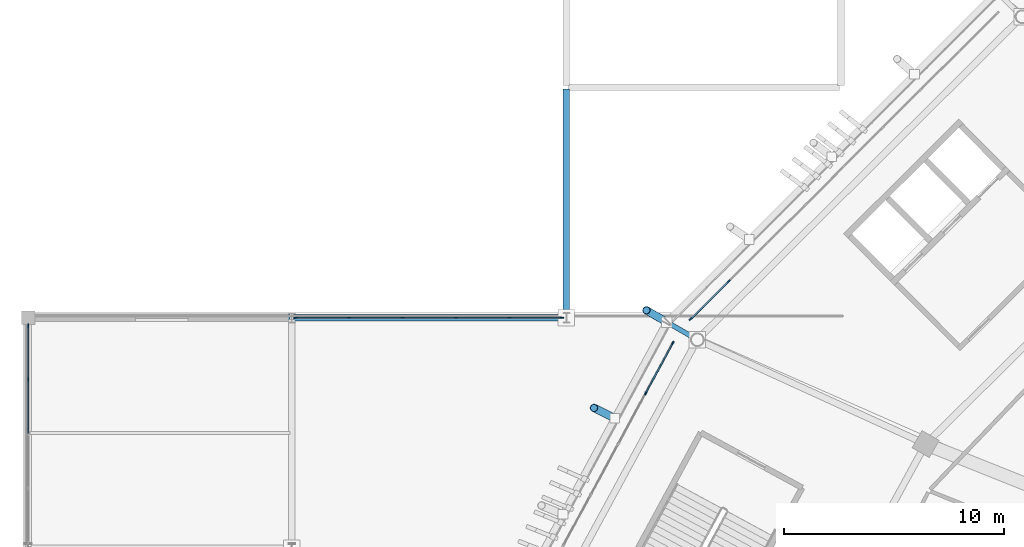
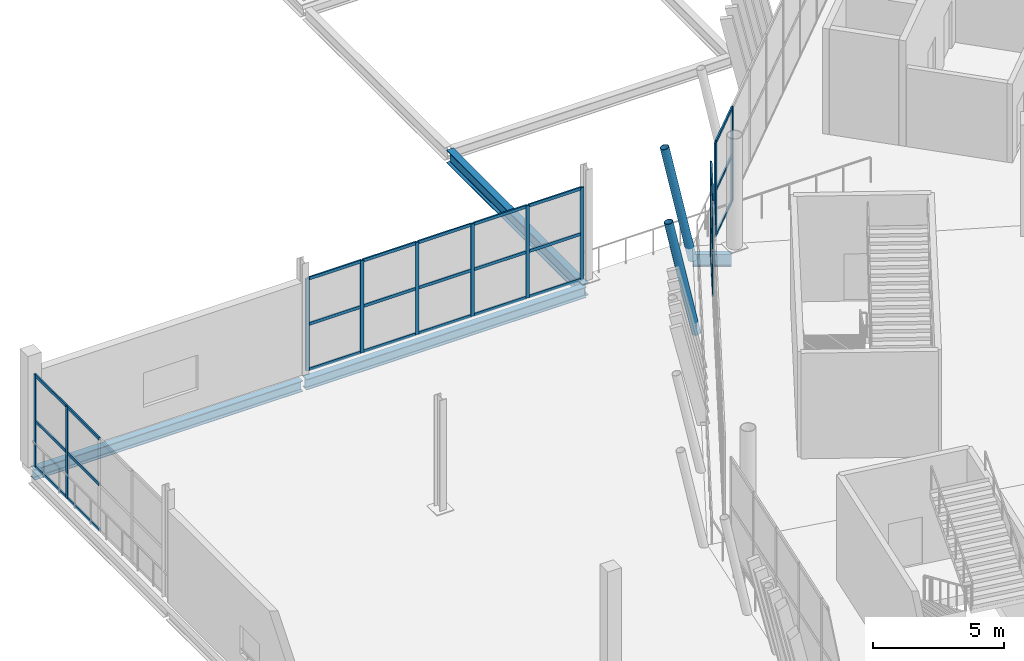
# One storey, part 45 of 178: 41 members, 4 beams, 4 elements without a shape of their own.
"""IFC4 building model written with IfcOpenShell, lengths in metres."""

from ifc_helpers import new_model, si_unit, direction, frame, origin, origin_2d, place, context, subcontext, project, spatial, rectangle, hollow_circle, i_section, extrude, material, material_profile, profile_set, type_object, element, aggregate, save


model = new_model("IFC4")

# Units and contexts
model_context = context("Model", 3, precision=1e-05, world=origin(), true_north=direction((0.0, 1.0)))
body_context = subcontext(model_context, "Body", "Model", "MODEL_VIEW")
ifc_project = project(units=[si_unit("LENGTHUNIT", "METRE"), si_unit("AREAUNIT", "SQUARE_METRE"), si_unit("VOLUMEUNIT", "CUBIC_METRE"), si_unit("PLANEANGLEUNIT", "RADIAN"), si_unit("MASSUNIT", "GRAM", prefix="KILO")], contexts=[model_context])

# Site, building, storey
site_placement = place(None, origin())
site = spatial("IfcSite", under=ifc_project, at=site_placement, CompositionType="ELEMENT")
building_placement = place(site_placement, origin())
building = spatial("IfcBuilding", under=site, at=building_placement, Name="Zlatoyarsky Gate Stadium", CompositionType="ELEMENT")
storey_placement = place(building_placement, frame((0.0, 0.0, 5.39990234375)))
storey = spatial("IfcBuildingStorey", under=building, at=storey_placement, Name="L01", CompositionType="ELEMENT", Elevation=5.39990234375)

# Curtain wall, members
ifc_material_1 = material(Name="Thermally broken anodised aluminium curtain wall", Category="aluminium")
curtain_wall_type_1 = type_object("IfcCurtainWallType", Name="UNITISED HOSPITALITY GLAZING L01", PredefinedType="USERDEFINED", material=ifc_material_1)
curtain_wall_1_placement = place(storey_placement, origin())
curtain_wall_1 = element("IfcCurtainWall", 1, at=curtain_wall_1_placement, inside=storey, type_object=curtain_wall_type_1, Name="Curtain wall CW-L01-09", ObjectType="UNITISED GLAZING", PredefinedType="USERDEFINED")
ifc_material_2 = material(Name="Anodised aluminium 6063-T6", Category="aluminium")
ifc_material_profile_1 = material_profile(ifc_material_2, rectangle(XDim=0.06494140625, YDim=0.159912109375, at=origin_2d()), Name="ALU 65X160")
ifc_profile_set_1 = profile_set([ifc_material_profile_1], Name="Anodised aluminium 6063-T6")
member_type_1 = type_object("IfcMemberType", Name="ALUMINIUM MULLION 65X160", PredefinedType="MULLION", material=ifc_profile_set_1)
member_1_placement = place(storey_placement, frame((31.883544921875, 118.16015625, 0.0), z_axis=(0.0, 0.0, 1.0), x_axis=(0.706370937898, -0.707841859523, 0.0)))
member_1 = element("IfcMember", 2, at=member_1_placement, type_object=member_type_1, Name="CW-UG1 mullion 8", PredefinedType="MULLION", context=body_context, shape_type="SweptSolid", body=[
    extrude(rectangle(XDim=0.06494140625, YDim=0.159912109375, at=origin_2d()), origin(), (0.0, 0.0, 1.0), 4.400146484375),
])
member_2_placement = place(storey_placement, frame((30.156005859375, 116.436279296875, 0.0), z_axis=(0.0, 0.0, 1.0), x_axis=(0.706370937898, -0.707841859523, 0.0)))
member_2 = element("IfcMember", 3, at=member_2_placement, type_object=member_type_1, Name="CW-UG1 mullion 9", PredefinedType="MULLION", context=body_context, shape_type="SweptSolid", body=[
    extrude(rectangle(XDim=0.06494140625, YDim=0.159912109375, at=origin_2d()), origin(), (0.0, 0.0, 1.0), 4.400146484375),
])

curtain_wall_2_placement = place(storey_placement, origin())
curtain_wall_2 = element("IfcCurtainWall", 4, at=curtain_wall_2_placement, inside=storey, type_object=curtain_wall_type_1, Name="Curtain wall CW-L01-10", ObjectType="UNITISED GLAZING", PredefinedType="USERDEFINED")
member_3_placement = place(storey_placement, frame((29.34814453125, 115.35400390625, 0.0), z_axis=(0.0, 0.0, 1.0), x_axis=(0.879562033396, -0.475784225682, 0.0)))
member_3 = element("IfcMember", 5, at=member_3_placement, type_object=member_type_1, Name="CW-UG1 mullion 1", PredefinedType="MULLION", context=body_context, shape_type="SweptSolid", body=[
    extrude(rectangle(XDim=0.06494140625, YDim=0.159912109375, at=origin_2d()), origin(), (0.0, 0.0, 1.0), 4.400146484375),
])
member_4_placement = place(storey_placement, frame((28.11181640625, 113.068359375, 0.0), z_axis=(0.0, 0.0, 1.0), x_axis=(0.879562033396, -0.475784225682, 0.0)))
member_4 = element("IfcMember", 6, at=member_4_placement, type_object=member_type_1, Name="CW-UG1 mullion 2", PredefinedType="MULLION", context=body_context, shape_type="SweptSolid", body=[
    extrude(rectangle(XDim=0.06494140625, YDim=0.159912109375, at=origin_2d()), origin(), (0.0, 0.0, 1.0), 4.400146484375),
])

curtain_wall_type_2 = type_object("IfcCurtainWallType", Name="WINTER GARDEN CONSERVATORY GLAZING", PredefinedType="USERDEFINED", material=ifc_material_1)
curtain_wall_3_placement = place(storey_placement, origin())
curtain_wall_3 = element("IfcCurtainWall", 7, at=curtain_wall_3_placement, inside=storey, type_object=curtain_wall_type_2, Name="Curtain wall CW-V4_WEST-L01-167", ObjectType="UNITISED GLAZING", PredefinedType="USERDEFINED")
member_5_placement = place(storey_placement, frame((0.0, 113.7001953125, 0.0), z_axis=(0.0, 0.0, 1.0), x_axis=(-1.0, 0.0, 0.0)))
member_5 = element("IfcMember", 8, at=member_5_placement, type_object=member_type_1, Name="CW-WG1 mullion 4", PredefinedType="MULLION", context=body_context, shape_type="SweptSolid", body=[
    extrude(rectangle(XDim=0.06494140625, YDim=0.159912109375, at=origin_2d()), origin(), (0.0, 0.0, 1.0), 4.300048828125),
])
member_6_placement = place(storey_placement, frame((0.0, 116.155517578125, 0.0), z_axis=(0.0, 0.0, 1.0), x_axis=(-1.0, 0.0, 0.0)))
member_6 = element("IfcMember", 9, at=member_6_placement, type_object=member_type_1, Name="CW-WG1 mullion 5", PredefinedType="MULLION", context=body_context, shape_type="SweptSolid", body=[
    extrude(rectangle(XDim=0.06494140625, YDim=0.159912109375, at=origin_2d()), origin(), (0.0, 0.0, 1.0), 4.300048828125),
])

curtain_wall_4_placement = place(storey_placement, origin())
curtain_wall_4 = element("IfcCurtainWall", 10, at=curtain_wall_4_placement, inside=storey, type_object=curtain_wall_type_2, Name="Curtain wall CW-V4_WEST-L01-177", ObjectType="UNITISED GLAZING", PredefinedType="USERDEFINED")
member_7_placement = place(storey_placement, frame((12.194580078125, 116.5, 0.0), z_axis=(0.0, 0.0, 1.0), x_axis=(0.0, 1.0, 0.0)))
member_7 = element("IfcMember", 11, at=member_7_placement, type_object=member_type_1, Name="CW-WG1 mullion 1", PredefinedType="MULLION", context=body_context, shape_type="SweptSolid", body=[
    extrude(rectangle(XDim=0.06494140625, YDim=0.159912109375, at=origin_2d()), origin(), (0.0, 0.0, 1.0), 4.300048828125),
])
member_8_placement = place(storey_placement, frame((14.59716796875, 116.5, 0.0), z_axis=(0.0, 0.0, 1.0), x_axis=(0.0, 1.0, 0.0)))
member_8 = element("IfcMember", 12, at=member_8_placement, type_object=member_type_1, Name="CW-WG1 mullion 2", PredefinedType="MULLION", context=body_context, shape_type="SweptSolid", body=[
    extrude(rectangle(XDim=0.06494140625, YDim=0.159912109375, at=origin_2d()), origin(), (0.0, 0.0, 1.0), 4.300048828125),
])
member_9_placement = place(storey_placement, frame((17.032470703125, 116.5, 0.0), z_axis=(0.0, 0.0, 1.0), x_axis=(0.0, 1.0, 0.0)))
member_9 = element("IfcMember", 13, at=member_9_placement, type_object=member_type_1, Name="CW-WG1 mullion 3", PredefinedType="MULLION", context=body_context, shape_type="SweptSolid", body=[
    extrude(rectangle(XDim=0.06494140625, YDim=0.159912109375, at=origin_2d()), origin(), (0.0, 0.0, 1.0), 4.300048828125),
])
member_10_placement = place(storey_placement, frame((19.467529296875, 116.5, 0.0), z_axis=(0.0, 0.0, 1.0), x_axis=(0.0, 1.0, 0.0)))
member_10 = element("IfcMember", 14, at=member_10_placement, type_object=member_type_1, Name="CW-WG1 mullion 4", PredefinedType="MULLION", context=body_context, shape_type="SweptSolid", body=[
    extrude(rectangle(XDim=0.06494140625, YDim=0.159912109375, at=origin_2d()), origin(), (0.0, 0.0, 1.0), 4.300048828125),
])
member_11_placement = place(storey_placement, frame((21.90283203125, 116.5, 0.0), z_axis=(0.0, 0.0, 1.0), x_axis=(0.0, 1.0, 0.0)))
member_11 = element("IfcMember", 15, at=member_11_placement, type_object=member_type_1, Name="CW-WG1 mullion 5", PredefinedType="MULLION", context=body_context, shape_type="SweptSolid", body=[
    extrude(rectangle(XDim=0.06494140625, YDim=0.159912109375, at=origin_2d()), origin(), (0.0, 0.0, 1.0), 4.300048828125),
])
member_12_placement = place(storey_placement, frame((24.305419921875, 116.5, 0.0), z_axis=(0.0, 0.0, 1.0), x_axis=(0.0, 1.0, 0.0)))
member_12 = element("IfcMember", 16, at=member_12_placement, type_object=member_type_1, Name="CW-WG1 mullion 6", PredefinedType="MULLION", context=body_context, shape_type="SweptSolid", body=[
    extrude(rectangle(XDim=0.06494140625, YDim=0.159912109375, at=origin_2d()), origin(), (0.0, 0.0, 1.0), 4.300048828125),
])

# Member
ifc_material_profile_2 = material_profile(ifc_material_2, rectangle(XDim=0.06494140625, YDim=0.139892578125, at=origin_2d()), Name="ALU 65X140")
ifc_profile_set_2 = profile_set([ifc_material_profile_2], Name="Anodised aluminium 6063-T6")
member_type_2 = type_object("IfcMemberType", Name="ALUMINIUM TRANSOM 65X140", PredefinedType="USERDEFINED", material=ifc_profile_set_2)
member_13_placement = place(storey_placement, frame((31.8603515625, 118.13720703125, 0.03271484375), z_axis=(-0.707825854859, -0.706386975526, 0.0), x_axis=(0.706386975526, -0.707825854859, 0.0)))
member_13 = element("IfcMember", 17, at=member_13_placement, type_object=member_type_2, Name="CW-UG1 transom 8.1", ObjectType="TRANSOM", PredefinedType="USERDEFINED", context=body_context, shape_type="SweptSolid", body=[
    extrude(rectangle(XDim=0.06494140625, YDim=0.139892578125, at=origin_2d()), origin(), (0.0, 0.0, 1.0), 2.37548828125),
])

member_14_placement = place(storey_placement, frame((31.8603515625, 118.13720703125, 2.150146484375), z_axis=(-0.707825854859, -0.706386975526, 0.0), x_axis=(0.706386975526, -0.707825854859, 0.0)))
member_14 = element("IfcMember", 18, at=member_14_placement, type_object=member_type_2, Name="CW-UG1 transom 8.2", ObjectType="TRANSOM", PredefinedType="USERDEFINED", context=body_context, shape_type="SweptSolid", body=[
    extrude(rectangle(XDim=0.06494140625, YDim=0.139892578125, at=origin_2d()), origin(), (0.0, 0.0, 1.0), 2.37548828125),
])

member_15_placement = place(storey_placement, frame((31.8603515625, 118.13720703125, 4.36767578125), z_axis=(-0.707825854859, -0.706386975526, 0.0), x_axis=(0.706386975526, -0.707825854859, 0.0)))
member_15 = element("IfcMember", 19, at=member_15_placement, type_object=member_type_2, Name="CW-UG1 transom 8.3", ObjectType="TRANSOM", PredefinedType="USERDEFINED", context=body_context, shape_type="SweptSolid", body=[
    extrude(rectangle(XDim=0.06494140625, YDim=0.139892578125, at=origin_2d()), origin(), (0.0, 0.0, 1.0), 2.37548828125),
])

aggregate(curtain_wall_1, [member_1, member_2, member_13, member_14, member_15])

member_16_placement = place(storey_placement, frame((29.332763671875, 115.325439453125, 0.03271484375), z_axis=(-0.475811253632, -0.879547412546, 0.0), x_axis=(0.879547412546, -0.475811253632, 0.0)))
member_16 = element("IfcMember", 20, at=member_16_placement, type_object=member_type_2, Name="CW-UG1 transom 1.1", ObjectType="TRANSOM", PredefinedType="USERDEFINED", context=body_context, shape_type="SweptSolid", body=[
    extrude(rectangle(XDim=0.06494140625, YDim=0.139892578125, at=origin_2d()), origin(), (0.0, 0.0, 1.0), 2.53369140625),
])

member_17_placement = place(storey_placement, frame((29.332763671875, 115.325439453125, 2.150146484375), z_axis=(-0.475811253632, -0.879547412546, 0.0), x_axis=(0.879547412546, -0.475811253632, 0.0)))
member_17 = element("IfcMember", 21, at=member_17_placement, type_object=member_type_2, Name="CW-UG1 transom 1.2", ObjectType="TRANSOM", PredefinedType="USERDEFINED", context=body_context, shape_type="SweptSolid", body=[
    extrude(rectangle(XDim=0.06494140625, YDim=0.139892578125, at=origin_2d()), origin(), (0.0, 0.0, 1.0), 2.53369140625),
])

member_18_placement = place(storey_placement, frame((29.332763671875, 115.325439453125, 4.36767578125), z_axis=(-0.475811253632, -0.879547412546, 0.0), x_axis=(0.879547412546, -0.475811253632, 0.0)))
member_18 = element("IfcMember", 22, at=member_18_placement, type_object=member_type_2, Name="CW-UG1 transom 1.3", ObjectType="TRANSOM", PredefinedType="USERDEFINED", context=body_context, shape_type="SweptSolid", body=[
    extrude(rectangle(XDim=0.06494140625, YDim=0.139892578125, at=origin_2d()), origin(), (0.0, 0.0, 1.0), 2.53369140625),
])

aggregate(curtain_wall_2, [member_3, member_4, member_16, member_17, member_18])

member_19_placement = place(storey_placement, frame((0.0, 111.2451171875, 0.03271484375), z_axis=(0.0, 1.0, 0.0), x_axis=(-1.0, 0.0, 0.0)))
member_19 = element("IfcMember", 23, at=member_19_placement, type_object=member_type_2, Name="CW-WG1 transom 3.1", ObjectType="TRANSOM", PredefinedType="USERDEFINED", context=body_context, shape_type="SweptSolid", body=[
    extrude(rectangle(XDim=0.06494140625, YDim=0.139892578125, at=origin_2d()), origin(), (0.0, 0.0, 1.0), 2.422607421875),
])

member_20_placement = place(storey_placement, frame((0.0, 111.2451171875, 2.150146484375), z_axis=(0.0, 1.0, 0.0), x_axis=(-1.0, 0.0, 0.0)))
member_20 = element("IfcMember", 24, at=member_20_placement, type_object=member_type_2, Name="CW-WG1 transom 3.2", ObjectType="TRANSOM", PredefinedType="USERDEFINED", context=body_context, shape_type="SweptSolid", body=[
    extrude(rectangle(XDim=0.06494140625, YDim=0.139892578125, at=origin_2d()), origin(), (0.0, 0.0, 1.0), 2.422607421875),
])

member_21_placement = place(storey_placement, frame((0.0, 111.2451171875, 4.267578125), z_axis=(0.0, 1.0, 0.0), x_axis=(-1.0, 0.0, 0.0)))
member_21 = element("IfcMember", 25, at=member_21_placement, type_object=member_type_2, Name="CW-WG1 transom 3.3", ObjectType="TRANSOM", PredefinedType="USERDEFINED", context=body_context, shape_type="SweptSolid", body=[
    extrude(rectangle(XDim=0.06494140625, YDim=0.139892578125, at=origin_2d()), origin(), (0.0, 0.0, 1.0), 2.422607421875),
])

member_22_placement = place(storey_placement, frame((0.0, 113.732666015625, 0.03271484375), z_axis=(0.0, 1.0, 0.0), x_axis=(-1.0, 0.0, 0.0)))
member_22 = element("IfcMember", 26, at=member_22_placement, type_object=member_type_2, Name="CW-WG1 transom 4.1", ObjectType="TRANSOM", PredefinedType="USERDEFINED", context=body_context, shape_type="SweptSolid", body=[
    extrude(rectangle(XDim=0.06494140625, YDim=0.139892578125, at=origin_2d()), origin(), (0.0, 0.0, 1.0), 2.390380859375),
])

member_23_placement = place(storey_placement, frame((0.0, 113.732666015625, 2.150146484375), z_axis=(0.0, 1.0, 0.0), x_axis=(-1.0, 0.0, 0.0)))
member_23 = element("IfcMember", 27, at=member_23_placement, type_object=member_type_2, Name="CW-WG1 transom 4.2", ObjectType="TRANSOM", PredefinedType="USERDEFINED", context=body_context, shape_type="SweptSolid", body=[
    extrude(rectangle(XDim=0.06494140625, YDim=0.139892578125, at=origin_2d()), origin(), (0.0, 0.0, 1.0), 2.390380859375),
])

member_24_placement = place(storey_placement, frame((0.0, 113.732666015625, 4.267578125), z_axis=(0.0, 1.0, 0.0), x_axis=(-1.0, 0.0, 0.0)))
member_24 = element("IfcMember", 28, at=member_24_placement, type_object=member_type_2, Name="CW-WG1 transom 4.3", ObjectType="TRANSOM", PredefinedType="USERDEFINED", context=body_context, shape_type="SweptSolid", body=[
    extrude(rectangle(XDim=0.06494140625, YDim=0.139892578125, at=origin_2d()), origin(), (0.0, 0.0, 1.0), 2.390380859375),
])

aggregate(curtain_wall_3, [member_5, member_6, member_19, member_20, member_21, member_22, member_23, member_24])

member_25_placement = place(storey_placement, frame((12.22705078125, 116.5, 0.03271484375), z_axis=(1.0, 0.0, 0.0), x_axis=(0.0, 1.0, 0.0)))
member_25 = element("IfcMember", 29, at=member_25_placement, type_object=member_type_2, Name="CW-WG1 transom 1.1", ObjectType="TRANSOM", PredefinedType="USERDEFINED", context=body_context, shape_type="SweptSolid", body=[
    extrude(rectangle(XDim=0.06494140625, YDim=0.139892578125, at=origin_2d()), origin(), (0.0, 0.0, 1.0), 2.337646484375),
])

member_26_placement = place(storey_placement, frame((12.22705078125, 116.5, 2.150146484375), z_axis=(1.0, 0.0, 0.0), x_axis=(0.0, 1.0, 0.0)))
member_26 = element("IfcMember", 30, at=member_26_placement, type_object=member_type_2, Name="CW-WG1 transom 1.2", ObjectType="TRANSOM", PredefinedType="USERDEFINED", context=body_context, shape_type="SweptSolid", body=[
    extrude(rectangle(XDim=0.06494140625, YDim=0.139892578125, at=origin_2d()), origin(), (0.0, 0.0, 1.0), 2.337646484375),
])

member_27_placement = place(storey_placement, frame((12.22705078125, 116.5, 4.267578125), z_axis=(1.0, 0.0, 0.0), x_axis=(0.0, 1.0, 0.0)))
member_27 = element("IfcMember", 31, at=member_27_placement, type_object=member_type_2, Name="CW-WG1 transom 1.3", ObjectType="TRANSOM", PredefinedType="USERDEFINED", context=body_context, shape_type="SweptSolid", body=[
    extrude(rectangle(XDim=0.06494140625, YDim=0.139892578125, at=origin_2d()), origin(), (0.0, 0.0, 1.0), 2.337646484375),
])

member_28_placement = place(storey_placement, frame((14.629638671875, 116.5, 0.03271484375), z_axis=(1.0, 0.0, 0.0), x_axis=(0.0, 1.0, 0.0)))
member_28 = element("IfcMember", 32, at=member_28_placement, type_object=member_type_2, Name="CW-WG1 transom 2.1", ObjectType="TRANSOM", PredefinedType="USERDEFINED", context=body_context, shape_type="SweptSolid", body=[
    extrude(rectangle(XDim=0.06494140625, YDim=0.139892578125, at=origin_2d()), origin(), (0.0, 0.0, 1.0), 2.370361328125),
])

member_29_placement = place(storey_placement, frame((14.629638671875, 116.5, 2.150146484375), z_axis=(1.0, 0.0, 0.0), x_axis=(0.0, 1.0, 0.0)))
member_29 = element("IfcMember", 33, at=member_29_placement, type_object=member_type_2, Name="CW-WG1 transom 2.2", ObjectType="TRANSOM", PredefinedType="USERDEFINED", context=body_context, shape_type="SweptSolid", body=[
    extrude(rectangle(XDim=0.06494140625, YDim=0.139892578125, at=origin_2d()), origin(), (0.0, 0.0, 1.0), 2.370361328125),
])

member_30_placement = place(storey_placement, frame((14.629638671875, 116.5, 4.267578125), z_axis=(1.0, 0.0, 0.0), x_axis=(0.0, 1.0, 0.0)))
member_30 = element("IfcMember", 34, at=member_30_placement, type_object=member_type_2, Name="CW-WG1 transom 2.3", ObjectType="TRANSOM", PredefinedType="USERDEFINED", context=body_context, shape_type="SweptSolid", body=[
    extrude(rectangle(XDim=0.06494140625, YDim=0.139892578125, at=origin_2d()), origin(), (0.0, 0.0, 1.0), 2.370361328125),
])

member_31_placement = place(storey_placement, frame((17.06494140625, 116.5, 0.03271484375), z_axis=(1.0, 0.0, 0.0), x_axis=(0.0, 1.0, 0.0)))
member_31 = element("IfcMember", 35, at=member_31_placement, type_object=member_type_2, Name="CW-WG1 transom 3.1", ObjectType="TRANSOM", PredefinedType="USERDEFINED", context=body_context, shape_type="SweptSolid", body=[
    extrude(rectangle(XDim=0.06494140625, YDim=0.139892578125, at=origin_2d()), origin(), (0.0, 0.0, 1.0), 2.3701171875),
])

member_32_placement = place(storey_placement, frame((17.06494140625, 116.5, 2.150146484375), z_axis=(1.0, 0.0, 0.0), x_axis=(0.0, 1.0, 0.0)))
member_32 = element("IfcMember", 36, at=member_32_placement, type_object=member_type_2, Name="CW-WG1 transom 3.2", ObjectType="TRANSOM", PredefinedType="USERDEFINED", context=body_context, shape_type="SweptSolid", body=[
    extrude(rectangle(XDim=0.06494140625, YDim=0.139892578125, at=origin_2d()), origin(), (0.0, 0.0, 1.0), 2.3701171875),
])

member_33_placement = place(storey_placement, frame((17.06494140625, 116.5, 4.267578125), z_axis=(1.0, 0.0, 0.0), x_axis=(0.0, 1.0, 0.0)))
member_33 = element("IfcMember", 37, at=member_33_placement, type_object=member_type_2, Name="CW-WG1 transom 3.3", ObjectType="TRANSOM", PredefinedType="USERDEFINED", context=body_context, shape_type="SweptSolid", body=[
    extrude(rectangle(XDim=0.06494140625, YDim=0.139892578125, at=origin_2d()), origin(), (0.0, 0.0, 1.0), 2.3701171875),
])

member_34_placement = place(storey_placement, frame((19.5, 116.5, 0.03271484375), z_axis=(1.0, 0.0, 0.0), x_axis=(0.0, 1.0, 0.0)))
member_34 = element("IfcMember", 38, at=member_34_placement, type_object=member_type_2, Name="CW-WG1 transom 4.1", ObjectType="TRANSOM", PredefinedType="USERDEFINED", context=body_context, shape_type="SweptSolid", body=[
    extrude(rectangle(XDim=0.06494140625, YDim=0.139892578125, at=origin_2d()), origin(), (0.0, 0.0, 1.0), 2.370361328125),
])

member_35_placement = place(storey_placement, frame((19.5, 116.5, 2.150146484375), z_axis=(1.0, 0.0, 0.0), x_axis=(0.0, 1.0, 0.0)))
member_35 = element("IfcMember", 39, at=member_35_placement, type_object=member_type_2, Name="CW-WG1 transom 4.2", ObjectType="TRANSOM", PredefinedType="USERDEFINED", context=body_context, shape_type="SweptSolid", body=[
    extrude(rectangle(XDim=0.06494140625, YDim=0.139892578125, at=origin_2d()), origin(), (0.0, 0.0, 1.0), 2.370361328125),
])

member_36_placement = place(storey_placement, frame((19.5, 116.5, 4.267578125), z_axis=(1.0, 0.0, 0.0), x_axis=(0.0, 1.0, 0.0)))
member_36 = element("IfcMember", 40, at=member_36_placement, type_object=member_type_2, Name="CW-WG1 transom 4.3", ObjectType="TRANSOM", PredefinedType="USERDEFINED", context=body_context, shape_type="SweptSolid", body=[
    extrude(rectangle(XDim=0.06494140625, YDim=0.139892578125, at=origin_2d()), origin(), (0.0, 0.0, 1.0), 2.370361328125),
])

member_37_placement = place(storey_placement, frame((21.935302734375, 116.5, 0.03271484375), z_axis=(1.0, 0.0, 0.0), x_axis=(0.0, 1.0, 0.0)))
member_37 = element("IfcMember", 41, at=member_37_placement, type_object=member_type_2, Name="CW-WG1 transom 5.1", ObjectType="TRANSOM", PredefinedType="USERDEFINED", context=body_context, shape_type="SweptSolid", body=[
    extrude(rectangle(XDim=0.06494140625, YDim=0.139892578125, at=origin_2d()), origin(), (0.0, 0.0, 1.0), 2.337646484375),
])

member_38_placement = place(storey_placement, frame((21.935302734375, 116.5, 2.150146484375), z_axis=(1.0, 0.0, 0.0), x_axis=(0.0, 1.0, 0.0)))
member_38 = element("IfcMember", 42, at=member_38_placement, type_object=member_type_2, Name="CW-WG1 transom 5.2", ObjectType="TRANSOM", PredefinedType="USERDEFINED", context=body_context, shape_type="SweptSolid", body=[
    extrude(rectangle(XDim=0.06494140625, YDim=0.139892578125, at=origin_2d()), origin(), (0.0, 0.0, 1.0), 2.337646484375),
])

member_39_placement = place(storey_placement, frame((21.935302734375, 116.5, 4.267578125), z_axis=(1.0, 0.0, 0.0), x_axis=(0.0, 1.0, 0.0)))
member_39 = element("IfcMember", 43, at=member_39_placement, type_object=member_type_2, Name="CW-WG1 transom 5.3", ObjectType="TRANSOM", PredefinedType="USERDEFINED", context=body_context, shape_type="SweptSolid", body=[
    extrude(rectangle(XDim=0.06494140625, YDim=0.139892578125, at=origin_2d()), origin(), (0.0, 0.0, 1.0), 2.337646484375),
])

aggregate(curtain_wall_4, [member_7, member_8, member_9, member_10, member_11, member_12, member_25, member_26, member_27, member_28, member_29, member_30, member_31, member_32, member_33, member_34, member_35, member_36, member_37, member_38, member_39])

# Beam
ifc_material_3 = material(Name="Steel S355", Category="steel")
ifc_material_profile_3 = material_profile(ifc_material_3, i_section(OverallWidth=0.219970703125, OverallDepth=0.60009765625, WebThickness=0.011962890625, FlangeThickness=0.01904296875, FilletRadius=0.02392578125, at=origin_2d()), Name="IPE 600")
ifc_profile_set_3 = profile_set([ifc_material_profile_3], Name="Steel S355")
beam_type_1 = type_object("IfcBeamType", Name="STEEL CANTILEVER FLOOR BEAM IPE 600", PredefinedType="BEAM", material=ifc_profile_set_3)
beam_1_placement = place(storey_placement, frame((30.355712890625, 115.56005859375, -0.599853515625), z_axis=(-0.866054481515, 0.499949632511, 0.0), x_axis=(-0.499949632511, -0.866054481515, 0.0)))
element("IfcBeam", 44, at=beam_1_placement, inside=storey, type_object=beam_type_1, Name="Beam B-IPE600 BM-L01-OUT-10", PredefinedType="BEAM", context=body_context, shape_type="SweptSolid", body=[
    extrude(i_section(OverallWidth=0.219970703125, OverallDepth=0.60009765625, WebThickness=0.011962890625, FlangeThickness=0.01904296875, FilletRadius=0.02392578125, at=origin_2d()), origin(), (0.0, 0.0, 1.0), 1.488525390625),
])

# Members
ifc_material_profile_4 = material_profile(ifc_material_3, hollow_circle(Radius=0.177734375, WallThickness=0.02001953125, at=origin_2d()), Name="CHS 355.6X20")
ifc_profile_set_4 = profile_set([ifc_material_profile_4], Name="Steel S355")
member_type_3 = type_object("IfcMemberType", Name="STEEL LEANING RIB RING STRUT CHS 355.6X20", PredefinedType="STRUT", material=ifc_profile_set_4)
member_40_placement = place(storey_placement, frame((29.066650390625, 116.30419921875, -0.599853515625), z_axis=(-0.173528176183, 0.100167043342, 0.979721662259), x_axis=(-0.499927021214, -0.866067534006, 0.0)))
element("IfcMember", 45, at=member_40_placement, inside=storey, type_object=member_type_3, Name="Leaning ring strut 10 L01 to L02", PredefinedType="STRUT", context=body_context, shape_type="SweptSolid", body=[
    extrude(hollow_circle(Radius=0.177734375, WallThickness=0.02001953125, at=origin_2d()), origin(), (0.0, 0.0, 1.0), 5.328125),
])
member_41_placement = place(storey_placement, frame((26.70361328125, 111.92626953125, -0.5498046875), z_axis=(-0.178524731367, 0.088093590164, 0.979983897655), x_axis=(-0.442510646428, -0.896763250695, 0.0)))
element("IfcMember", 46, at=member_41_placement, inside=storey, type_object=member_type_3, Name="Outward-leaning bowl louvre fin rib L01 10-1", PredefinedType="STRUT", context=body_context, shape_type="SweptSolid", body=[
    extrude(hollow_circle(Radius=0.177734375, WallThickness=0.02001953125, at=origin_2d()), origin(), (0.0, 0.0, 1.0), 5.32666015625),
])

# Beams
ifc_material_profile_5 = material_profile(ifc_material_3, i_section(OverallWidth=0.300048828125, OverallDepth=0.5, WebThickness=0.014404296875, FlangeThickness=0.028076171875, FilletRadius=0.027099609375, at=origin_2d()), Name="HEB 500")
ifc_profile_set_5 = profile_set([ifc_material_profile_5], Name="Steel S355")
beam_type_2 = type_object("IfcBeamType", Name="STEEL PRIMARY GIRDER HEB 500", PredefinedType="BEAM", material=ifc_profile_set_5)
beam_2_placement = place(storey_placement, frame((0.080078125, 116.5, -0.5498046875), z_axis=(1.0, 0.0, 0.0), x_axis=(0.0, 1.0, 0.0)))
element("IfcBeam", 47, at=beam_2_placement, inside=storey, type_object=beam_type_2, Name="Beam G-HEB500 BM-L01-WGX-1-L", PredefinedType="BEAM", context=body_context, shape_type="SweptSolid", body=[
    extrude(i_section(OverallWidth=0.300048828125, OverallDepth=0.5, WebThickness=0.014404296875, FlangeThickness=0.028076171875, FilletRadius=0.027099609375, at=origin_2d()), origin(), (0.0, 0.0, 1.0), 11.83984375),
])
beam_3_placement = place(storey_placement, frame((12.080078125, 116.5, -0.5498046875), z_axis=(1.0, 0.0, 0.0), x_axis=(0.0, 1.0, 0.0)))
element("IfcBeam", 48, at=beam_3_placement, inside=storey, type_object=beam_type_2, Name="Beam G-HEB500 BM-L01-WGX-2-L", PredefinedType="BEAM", context=body_context, shape_type="SweptSolid", body=[
    extrude(i_section(OverallWidth=0.300048828125, OverallDepth=0.5, WebThickness=0.014404296875, FlangeThickness=0.028076171875, FilletRadius=0.027099609375, at=origin_2d()), origin(), (0.0, 0.0, 1.0), 12.33984375),
])
ifc_material_profile_6 = material_profile(ifc_material_3, i_section(OverallWidth=0.300048828125, OverallDepth=0.60009765625, WebThickness=0.015380859375, FlangeThickness=0.030029296875, FilletRadius=0.027099609375, at=origin_2d()), Name="HEB 600")
ifc_profile_set_6 = profile_set([ifc_material_profile_6], Name="Steel S355")
beam_type_3 = type_object("IfcBeamType", Name="STEEL PRIMARY GIRDER HEB 600", PredefinedType="BEAM", material=ifc_profile_set_6)
beam_4_placement = place(storey_placement, frame((24.5, 116.580078125, -0.599853515625), z_axis=(0.0, 1.0, 0.0), x_axis=(-1.0, 0.0, 0.0)))
element("IfcBeam", 49, at=beam_4_placement, inside=storey, type_object=beam_type_3, Name="Beam G-HEB600 BM-L01-WGY-3-L", PredefinedType="BEAM", context=body_context, shape_type="SweptSolid", body=[
    extrude(i_section(OverallWidth=0.300048828125, OverallDepth=0.60009765625, WebThickness=0.015380859375, FlangeThickness=0.030029296875, FilletRadius=0.027099609375, at=origin_2d()), origin(), (0.0, 0.0, 1.0), 10.33984375),
])

save(model, "model.ifc")
